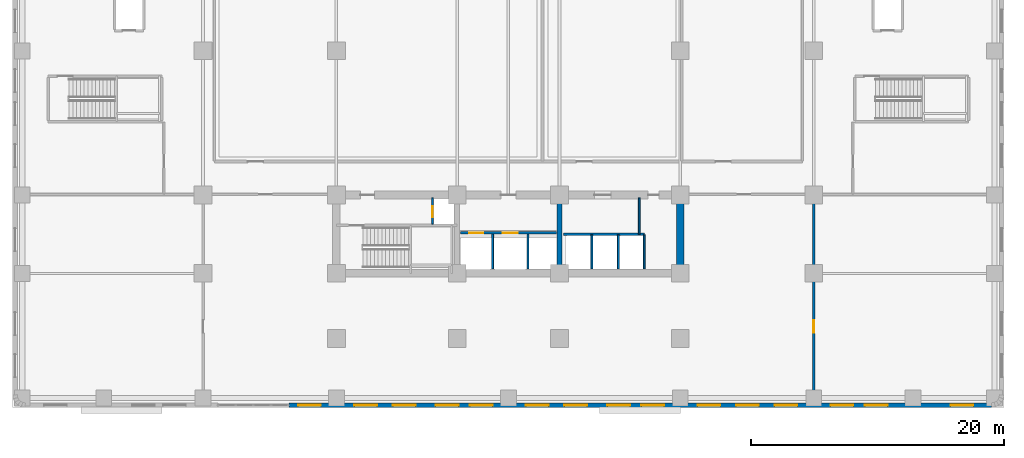
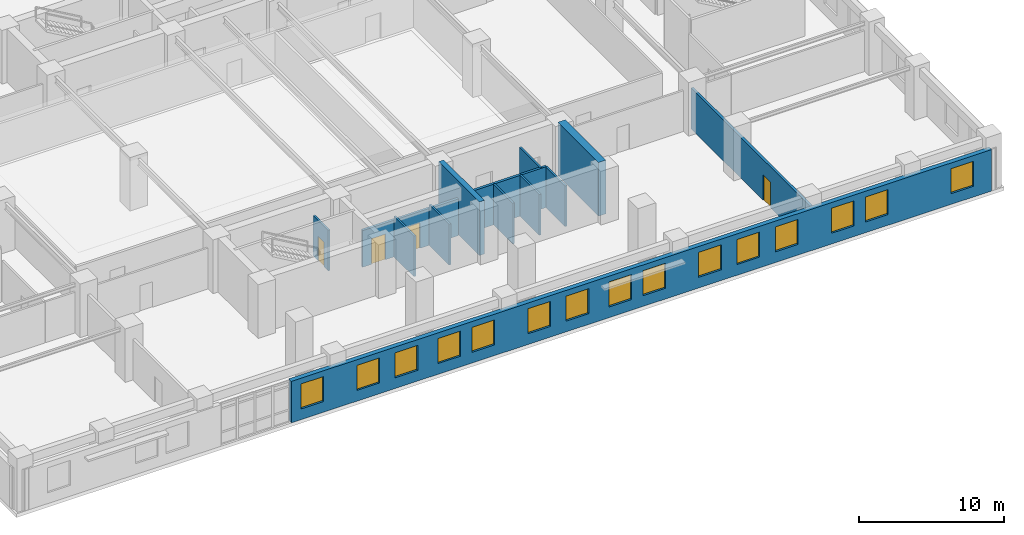
# One storey, part 7 of 16: 15 windows, 13 walls, 4 doors, 19 openings.
"""IFC4 building model written with IfcOpenShell, lengths in metres."""

from ifc_helpers import new_model, si_unit, direction, frame, frame_2d, origin, place, context, subcontext, project, spatial, rectangle, extrude, material, layer, layer_set, type_object, element, fill, save


model = new_model("IFC4")

# Units and contexts
model_context = context("Model", 3, precision=1e-05, world=origin(), true_north=direction((0.0, 1.0)))
body_context = subcontext(model_context, "Body", "Model", "MODEL_VIEW")
ifc_project = project(units=[si_unit("LENGTHUNIT", "METRE"), si_unit("AREAUNIT", "SQUARE_METRE"), si_unit("VOLUMEUNIT", "CUBIC_METRE"), si_unit("PLANEANGLEUNIT", "RADIAN"), si_unit("MASSUNIT", "GRAM", prefix="KILO")], contexts=[model_context])

# Site, building, storey
site_placement = place(None, origin())
site = spatial("IfcSite", under=ifc_project, at=site_placement, CompositionType="ELEMENT")
building_placement = place(site_placement, origin())
building = spatial("IfcBuilding", under=site, at=building_placement, Name="Svetorya Sky Lyceum", CompositionType="ELEMENT")
storey_placement = place(building_placement, frame((0.0, 0.0, 11.10009765625)))
storey = spatial("IfcBuildingStorey", under=building, at=storey_placement, Name="L02", CompositionType="ELEMENT", Elevation=11.10009765625)

# Walls
ifc_material_1 = material(Name="Concrete C40/50", Category="concrete")
ifc_layer_1 = layer(ifc_material_1, 0.39990234375)
ifc_layer_set_1 = layer_set([ifc_layer_1], Name="Concrete C40/50")
wall_type_1 = type_object("IfcWallType", Name="WL-CORE-400", PredefinedType="SHEAR", material=ifc_layer_set_1)
wall_1_placement = place(storey_placement, frame((43.25, 10.89990234375, 0.0), z_axis=(0.0, 0.0, 1.0), x_axis=(0.0, 1.0, 0.0)))
element("IfcWall", 1, at=wall_1_placement, inside=storey, type_object=wall_type_1, Name="L02 SC Internal Shear Web WEB2", PredefinedType="SHEAR", context=body_context, shape_type="SweptSolid", body=[
    extrude(rectangle(XDim=5.60009765625, YDim=0.39990234375, at=frame_2d((2.800048828125, 0.0))), origin(), (0.0, 0.0, 1.0), 4.5),
])
ifc_material_2 = material(Name="Concrete C60/75", Category="concrete")
ifc_layer_2 = layer(ifc_material_2, 0.60009765625)
ifc_layer_set_2 = layer_set([ifc_layer_2], Name="Concrete C60/75")
wall_type_2 = type_object("IfcWallType", Name="WL-CORE-600", PredefinedType="SHEAR", material=ifc_layer_set_2)
wall_2_placement = place(storey_placement, frame((52.800048828125, 10.89990234375, 0.0), z_axis=(0.0, 0.0, 1.0), x_axis=(0.0, 1.0, 0.0)))
element("IfcWall", 2, at=wall_2_placement, inside=storey, type_object=wall_type_2, Name="L02 SC East Core Shear Wall", PredefinedType="SHEAR", context=body_context, shape_type="SweptSolid", body=[
    extrude(rectangle(XDim=5.60009765625, YDim=0.60009765625, at=frame_2d((2.800048828125, 0.0))), origin(), (0.0, 0.0, 1.0), 4.5),
])

# Wall, openings, windows
ifc_material_3 = material(Name="Putilovo limestone rainscreen on autoclaved cellular masonry", Category="masonry")
ifc_layer_3 = layer(ifc_material_3, 0.360107421875)
ifc_layer_set_3 = layer_set([ifc_layer_3], Name="Putilovo limestone rainscreen on autoclaved cellular masonry")
wall_type_3 = type_object("IfcWallType", Name="WL-EXT-360", PredefinedType="SOLIDWALL", material=ifc_layer_set_3)
wall_3_placement = place(storey_placement, frame((21.830078125, 0.179931640625, 0.0), z_axis=(0.0, 0.0, 1.0), x_axis=(1.0, 0.0, 0.0)))
wall_3 = element("IfcWall", 3, at=wall_3_placement, inside=storey, type_object=wall_type_3, Name="L02 Limestone Exterior Wall 6B", PredefinedType="SOLIDWALL", context=body_context, shape_type="SweptSolid", body=[
    extrude(rectangle(XDim=55.58984375, YDim=0.360107421875, at=frame_2d((27.794921875, 0.0))), origin(), (0.0, 0.0, 1.0), 3.47998046875),
])
opening_1_placement = place(wall_3_placement, frame((0.74658203125, 0.0, 0.89990234375)))
opening_1 = element("IfcOpeningElement", 4, at=opening_1_placement, cuts=wall_3, Name="Opening W-S2", PredefinedType="OPENING", context=body_context, shape_type="SweptSolid", body=[
    extrude(rectangle(XDim=1.800048828125, YDim=2.10009765625, at=frame_2d((0.89990234375, 1.050048828125))), frame((0.0, 0.18994140625, 0.0), z_axis=(0.0, -1.0, 0.0), x_axis=(1.0, 0.0, 0.0)), (0.0, 0.0, 1.0), 0.380126953125),
])
opening_2_placement = place(wall_3_placement, frame((5.189697265625, 0.0, 0.89990234375)))
opening_2 = element("IfcOpeningElement", 5, at=opening_2_placement, cuts=wall_3, Name="Opening W-S2", PredefinedType="OPENING", context=body_context, shape_type="SweptSolid", body=[
    extrude(rectangle(XDim=1.800048828125, YDim=2.10009765625, at=frame_2d((0.89990234375, 1.050048828125))), frame((0.0, 0.18994140625, 0.0), z_axis=(0.0, -1.0, 0.0), x_axis=(1.0, 0.0, 0.0)), (0.0, 0.0, 1.0), 0.380126953125),
])
opening_3_placement = place(wall_3_placement, frame((8.23291015625, 0.0, 0.89990234375)))
opening_3 = element("IfcOpeningElement", 6, at=opening_3_placement, cuts=wall_3, Name="Opening W-S2", PredefinedType="OPENING", context=body_context, shape_type="SweptSolid", body=[
    extrude(rectangle(XDim=1.800048828125, YDim=2.10009765625, at=frame_2d((0.89990234375, 1.050048828125))), frame((0.0, 0.18994140625, 0.0), z_axis=(0.0, -1.0, 0.0), x_axis=(1.0, 0.0, 0.0)), (0.0, 0.0, 1.0), 0.380126953125),
])
opening_4_placement = place(wall_3_placement, frame((11.6259765625, 0.0, 0.89990234375)))
opening_4 = element("IfcOpeningElement", 7, at=opening_4_placement, cuts=wall_3, Name="Opening W-S2", PredefinedType="OPENING", context=body_context, shape_type="SweptSolid", body=[
    extrude(rectangle(XDim=1.800048828125, YDim=2.10009765625, at=frame_2d((0.89990234375, 1.050048828125))), frame((0.0, 0.18994140625, 0.0), z_axis=(0.0, -1.0, 0.0), x_axis=(1.0, 0.0, 0.0)), (0.0, 0.0, 1.0), 0.380126953125),
])
opening_5_placement = place(wall_3_placement, frame((14.319091796875, 0.0, 0.89990234375)))
opening_5 = element("IfcOpeningElement", 8, at=opening_5_placement, cuts=wall_3, Name="Opening W-S2", PredefinedType="OPENING", context=body_context, shape_type="SweptSolid", body=[
    extrude(rectangle(XDim=1.800048828125, YDim=2.10009765625, at=frame_2d((0.89990234375, 1.050048828125))), frame((0.0, 0.18994140625, 0.0), z_axis=(0.0, -1.0, 0.0), x_axis=(1.0, 0.0, 0.0)), (0.0, 0.0, 1.0), 0.380126953125),
])
opening_6_placement = place(wall_3_placement, frame((18.76220703125, 0.0, 0.89990234375)))
opening_6 = element("IfcOpeningElement", 9, at=opening_6_placement, cuts=wall_3, Name="Opening W-S2", PredefinedType="OPENING", context=body_context, shape_type="SweptSolid", body=[
    extrude(rectangle(XDim=1.800048828125, YDim=2.10009765625, at=frame_2d((0.89990234375, 1.050048828125))), frame((0.0, 0.18994140625, 0.0), z_axis=(0.0, -1.0, 0.0), x_axis=(1.0, 0.0, 0.0)), (0.0, 0.0, 1.0), 0.380126953125),
])
opening_7_placement = place(wall_3_placement, frame((21.805419921875, 0.0, 0.89990234375)))
opening_7 = element("IfcOpeningElement", 10, at=opening_7_placement, cuts=wall_3, Name="Opening W-S2", PredefinedType="OPENING", context=body_context, shape_type="SweptSolid", body=[
    extrude(rectangle(XDim=1.800048828125, YDim=2.10009765625, at=frame_2d((0.89990234375, 1.050048828125))), frame((0.0, 0.18994140625, 0.0), z_axis=(0.0, -1.0, 0.0), x_axis=(1.0, 0.0, 0.0)), (0.0, 0.0, 1.0), 0.380126953125),
])
opening_8_placement = place(wall_3_placement, frame((25.198486328125, 0.0, 0.89990234375)))
opening_8 = element("IfcOpeningElement", 11, at=opening_8_placement, cuts=wall_3, Name="Opening W-S2", PredefinedType="OPENING", context=body_context, shape_type="SweptSolid", body=[
    extrude(rectangle(XDim=1.800048828125, YDim=2.10009765625, at=frame_2d((0.89990234375, 1.050048828125))), frame((0.0, 0.18994140625, 0.0), z_axis=(0.0, -1.0, 0.0), x_axis=(1.0, 0.0, 0.0)), (0.0, 0.0, 1.0), 0.380126953125),
])
opening_9_placement = place(wall_3_placement, frame((27.8916015625, 0.0, 0.89990234375)))
opening_9 = element("IfcOpeningElement", 12, at=opening_9_placement, cuts=wall_3, Name="Opening W-S2", PredefinedType="OPENING", context=body_context, shape_type="SweptSolid", body=[
    extrude(rectangle(XDim=1.800048828125, YDim=2.10009765625, at=frame_2d((0.89990234375, 1.050048828125))), frame((0.0, 0.18994140625, 0.0), z_axis=(0.0, -1.0, 0.0), x_axis=(1.0, 0.0, 0.0)), (0.0, 0.0, 1.0), 0.380126953125),
])
opening_10_placement = place(wall_3_placement, frame((32.334716796875, 0.0, 0.89990234375)))
opening_10 = element("IfcOpeningElement", 13, at=opening_10_placement, cuts=wall_3, Name="Opening W-S2", PredefinedType="OPENING", context=body_context, shape_type="SweptSolid", body=[
    extrude(rectangle(XDim=1.800048828125, YDim=2.10009765625, at=frame_2d((0.89990234375, 1.050048828125))), frame((0.0, 0.18994140625, 0.0), z_axis=(0.0, -1.0, 0.0), x_axis=(1.0, 0.0, 0.0)), (0.0, 0.0, 1.0), 0.380126953125),
])
opening_11_placement = place(wall_3_placement, frame((35.377685546875, 0.0, 0.89990234375)))
opening_11 = element("IfcOpeningElement", 14, at=opening_11_placement, cuts=wall_3, Name="Opening W-S2", PredefinedType="OPENING", context=body_context, shape_type="SweptSolid", body=[
    extrude(rectangle(XDim=1.800048828125, YDim=2.10009765625, at=frame_2d((0.89990234375, 1.050048828125))), frame((0.0, 0.18994140625, 0.0), z_axis=(0.0, -1.0, 0.0), x_axis=(1.0, 0.0, 0.0)), (0.0, 0.0, 1.0), 0.380126953125),
])
opening_12_placement = place(wall_3_placement, frame((38.4208984375, 0.0, 0.89990234375)))
opening_12 = element("IfcOpeningElement", 15, at=opening_12_placement, cuts=wall_3, Name="Opening W-S2", PredefinedType="OPENING", context=body_context, shape_type="SweptSolid", body=[
    extrude(rectangle(XDim=1.800048828125, YDim=2.10009765625, at=frame_2d((0.89990234375, 1.050048828125))), frame((0.0, 0.18994140625, 0.0), z_axis=(0.0, -1.0, 0.0), x_axis=(1.0, 0.0, 0.0)), (0.0, 0.0, 1.0), 0.380126953125),
])
opening_13_placement = place(wall_3_placement, frame((42.864013671875, 0.0, 0.89990234375)))
opening_13 = element("IfcOpeningElement", 16, at=opening_13_placement, cuts=wall_3, Name="Opening W-S2", PredefinedType="OPENING", context=body_context, shape_type="SweptSolid", body=[
    extrude(rectangle(XDim=1.800048828125, YDim=2.10009765625, at=frame_2d((0.89990234375, 1.050048828125))), frame((0.0, 0.18994140625, 0.0), z_axis=(0.0, -1.0, 0.0), x_axis=(1.0, 0.0, 0.0)), (0.0, 0.0, 1.0), 0.380126953125),
])
opening_14_placement = place(wall_3_placement, frame((45.55712890625, 0.0, 0.89990234375)))
opening_14 = element("IfcOpeningElement", 17, at=opening_14_placement, cuts=wall_3, Name="Opening W-S2", PredefinedType="OPENING", context=body_context, shape_type="SweptSolid", body=[
    extrude(rectangle(XDim=1.800048828125, YDim=2.10009765625, at=frame_2d((0.89990234375, 1.050048828125))), frame((0.0, 0.18994140625, 0.0), z_axis=(0.0, -1.0, 0.0), x_axis=(1.0, 0.0, 0.0)), (0.0, 0.0, 1.0), 0.380126953125),
])
opening_15_placement = place(wall_3_placement, frame((52.343505859375, 0.0, 0.89990234375)))
opening_15 = element("IfcOpeningElement", 18, at=opening_15_placement, cuts=wall_3, Name="Opening W-S2", PredefinedType="OPENING", context=body_context, shape_type="SweptSolid", body=[
    extrude(rectangle(XDim=1.800048828125, YDim=2.10009765625, at=frame_2d((0.89990234375, 1.050048828125))), frame((0.0, 0.18994140625, 0.0), z_axis=(0.0, -1.0, 0.0), x_axis=(1.0, 0.0, 0.0)), (0.0, 0.0, 1.0), 0.380126953125),
])
ifc_material_4 = material(Name="Thermally broken aluminium frame with triple low-E glazing", Category="aluminium")
window_type = type_object("IfcWindowType", Name="WN-SCH-180", PartitioningType="DOUBLE_PANEL_VERTICAL", PredefinedType="WINDOW", material=ifc_material_4)
window_1_placement = place(opening_1_placement, origin())
window_1 = element("IfcWindow", 19, at=window_1_placement, inside=storey, type_object=window_type, Name="L02 Facade Window W-S2.6B.1", OverallHeight=2.10009765625, OverallWidth=1.800048828125, PartitioningType="SINGLE_PANEL", PredefinedType="WINDOW", context=body_context, shape_type="SweptSolid", body=[
    extrude(rectangle(XDim=1.800048828125, YDim=2.10009765625, at=frame_2d((0.89990234375, 1.050048828125))), frame((0.0, 0.030029296875, 0.0), z_axis=(0.0, -1.0, 0.0), x_axis=(1.0, 0.0, 0.0)), (0.0, 0.0, 1.0), 0.06005859375),
])
fill(opening_1, window_1)
window_2_placement = place(opening_2_placement, origin())
window_2 = element("IfcWindow", 20, at=window_2_placement, inside=storey, type_object=window_type, Name="L02 Facade Window W-S2.6B.2", OverallHeight=2.10009765625, OverallWidth=1.800048828125, PartitioningType="SINGLE_PANEL", PredefinedType="WINDOW", context=body_context, shape_type="SweptSolid", body=[
    extrude(rectangle(XDim=1.800048828125, YDim=2.10009765625, at=frame_2d((0.89990234375, 1.050048828125))), frame((0.0, 0.030029296875, 0.0), z_axis=(0.0, -1.0, 0.0), x_axis=(1.0, 0.0, 0.0)), (0.0, 0.0, 1.0), 0.06005859375),
])
fill(opening_2, window_2)
window_3_placement = place(opening_3_placement, origin())
window_3 = element("IfcWindow", 21, at=window_3_placement, inside=storey, type_object=window_type, Name="L02 Facade Window W-S2.6B.3", OverallHeight=2.10009765625, OverallWidth=1.800048828125, PartitioningType="SINGLE_PANEL", PredefinedType="WINDOW", context=body_context, shape_type="SweptSolid", body=[
    extrude(rectangle(XDim=1.800048828125, YDim=2.10009765625, at=frame_2d((0.89990234375, 1.050048828125))), frame((0.0, 0.030029296875, 0.0), z_axis=(0.0, -1.0, 0.0), x_axis=(1.0, 0.0, 0.0)), (0.0, 0.0, 1.0), 0.06005859375),
])
fill(opening_3, window_3)
window_4_placement = place(opening_4_placement, origin())
window_4 = element("IfcWindow", 22, at=window_4_placement, inside=storey, type_object=window_type, Name="L02 Facade Window W-S2.6B.4", OverallHeight=2.10009765625, OverallWidth=1.800048828125, PartitioningType="SINGLE_PANEL", PredefinedType="WINDOW", context=body_context, shape_type="SweptSolid", body=[
    extrude(rectangle(XDim=1.800048828125, YDim=2.10009765625, at=frame_2d((0.89990234375, 1.050048828125))), frame((0.0, 0.030029296875, 0.0), z_axis=(0.0, -1.0, 0.0), x_axis=(1.0, 0.0, 0.0)), (0.0, 0.0, 1.0), 0.06005859375),
])
fill(opening_4, window_4)
window_5_placement = place(opening_5_placement, origin())
window_5 = element("IfcWindow", 23, at=window_5_placement, inside=storey, type_object=window_type, Name="L02 Facade Window W-S2.6B.5", OverallHeight=2.10009765625, OverallWidth=1.800048828125, PartitioningType="SINGLE_PANEL", PredefinedType="WINDOW", context=body_context, shape_type="SweptSolid", body=[
    extrude(rectangle(XDim=1.800048828125, YDim=2.10009765625, at=frame_2d((0.89990234375, 1.050048828125))), frame((0.0, 0.030029296875, 0.0), z_axis=(0.0, -1.0, 0.0), x_axis=(1.0, 0.0, 0.0)), (0.0, 0.0, 1.0), 0.06005859375),
])
fill(opening_5, window_5)
window_6_placement = place(opening_6_placement, origin())
window_6 = element("IfcWindow", 24, at=window_6_placement, inside=storey, type_object=window_type, Name="L02 Facade Window W-S2.6B.6", OverallHeight=2.10009765625, OverallWidth=1.800048828125, PartitioningType="SINGLE_PANEL", PredefinedType="WINDOW", context=body_context, shape_type="SweptSolid", body=[
    extrude(rectangle(XDim=1.800048828125, YDim=2.10009765625, at=frame_2d((0.89990234375, 1.050048828125))), frame((0.0, 0.030029296875, 0.0), z_axis=(0.0, -1.0, 0.0), x_axis=(1.0, 0.0, 0.0)), (0.0, 0.0, 1.0), 0.06005859375),
])
fill(opening_6, window_6)
window_7_placement = place(opening_7_placement, origin())
window_7 = element("IfcWindow", 25, at=window_7_placement, inside=storey, type_object=window_type, Name="L02 Facade Window W-S2.6B.7", OverallHeight=2.10009765625, OverallWidth=1.800048828125, PartitioningType="SINGLE_PANEL", PredefinedType="WINDOW", context=body_context, shape_type="SweptSolid", body=[
    extrude(rectangle(XDim=1.800048828125, YDim=2.10009765625, at=frame_2d((0.89990234375, 1.050048828125))), frame((0.0, 0.030029296875, 0.0), z_axis=(0.0, -1.0, 0.0), x_axis=(1.0, 0.0, 0.0)), (0.0, 0.0, 1.0), 0.06005859375),
])
fill(opening_7, window_7)
window_8_placement = place(opening_8_placement, origin())
window_8 = element("IfcWindow", 26, at=window_8_placement, inside=storey, type_object=window_type, Name="L02 Facade Window W-S2.6B.8", OverallHeight=2.10009765625, OverallWidth=1.800048828125, PartitioningType="SINGLE_PANEL", PredefinedType="WINDOW", context=body_context, shape_type="SweptSolid", body=[
    extrude(rectangle(XDim=1.800048828125, YDim=2.10009765625, at=frame_2d((0.89990234375, 1.050048828125))), frame((0.0, 0.030029296875, 0.0), z_axis=(0.0, -1.0, 0.0), x_axis=(1.0, 0.0, 0.0)), (0.0, 0.0, 1.0), 0.06005859375),
])
fill(opening_8, window_8)
window_9_placement = place(opening_9_placement, origin())
window_9 = element("IfcWindow", 27, at=window_9_placement, inside=storey, type_object=window_type, Name="L02 Facade Window W-S2.6B.9", OverallHeight=2.10009765625, OverallWidth=1.800048828125, PartitioningType="SINGLE_PANEL", PredefinedType="WINDOW", context=body_context, shape_type="SweptSolid", body=[
    extrude(rectangle(XDim=1.800048828125, YDim=2.10009765625, at=frame_2d((0.89990234375, 1.050048828125))), frame((0.0, 0.030029296875, 0.0), z_axis=(0.0, -1.0, 0.0), x_axis=(1.0, 0.0, 0.0)), (0.0, 0.0, 1.0), 0.06005859375),
])
fill(opening_9, window_9)
window_10_placement = place(opening_10_placement, origin())
window_10 = element("IfcWindow", 28, at=window_10_placement, inside=storey, type_object=window_type, Name="L02 Facade Window W-S2.6B.10", OverallHeight=2.10009765625, OverallWidth=1.800048828125, PartitioningType="SINGLE_PANEL", PredefinedType="WINDOW", context=body_context, shape_type="SweptSolid", body=[
    extrude(rectangle(XDim=1.800048828125, YDim=2.10009765625, at=frame_2d((0.89990234375, 1.050048828125))), frame((0.0, 0.030029296875, 0.0), z_axis=(0.0, -1.0, 0.0), x_axis=(1.0, 0.0, 0.0)), (0.0, 0.0, 1.0), 0.06005859375),
])
fill(opening_10, window_10)
window_11_placement = place(opening_11_placement, origin())
window_11 = element("IfcWindow", 29, at=window_11_placement, inside=storey, type_object=window_type, Name="L02 Facade Window W-S2.6B.11", OverallHeight=2.10009765625, OverallWidth=1.800048828125, PartitioningType="SINGLE_PANEL", PredefinedType="WINDOW", context=body_context, shape_type="SweptSolid", body=[
    extrude(rectangle(XDim=1.800048828125, YDim=2.10009765625, at=frame_2d((0.89990234375, 1.050048828125))), frame((0.0, 0.030029296875, 0.0), z_axis=(0.0, -1.0, 0.0), x_axis=(1.0, 0.0, 0.0)), (0.0, 0.0, 1.0), 0.06005859375),
])
fill(opening_11, window_11)
window_12_placement = place(opening_12_placement, origin())
window_12 = element("IfcWindow", 30, at=window_12_placement, inside=storey, type_object=window_type, Name="L02 Facade Window W-S2.6B.12", OverallHeight=2.10009765625, OverallWidth=1.800048828125, PartitioningType="SINGLE_PANEL", PredefinedType="WINDOW", context=body_context, shape_type="SweptSolid", body=[
    extrude(rectangle(XDim=1.800048828125, YDim=2.10009765625, at=frame_2d((0.89990234375, 1.050048828125))), frame((0.0, 0.030029296875, 0.0), z_axis=(0.0, -1.0, 0.0), x_axis=(1.0, 0.0, 0.0)), (0.0, 0.0, 1.0), 0.06005859375),
])
fill(opening_12, window_12)
window_13_placement = place(opening_13_placement, origin())
window_13 = element("IfcWindow", 31, at=window_13_placement, inside=storey, type_object=window_type, Name="L02 Facade Window W-S2.6B.13", OverallHeight=2.10009765625, OverallWidth=1.800048828125, PartitioningType="SINGLE_PANEL", PredefinedType="WINDOW", context=body_context, shape_type="SweptSolid", body=[
    extrude(rectangle(XDim=1.800048828125, YDim=2.10009765625, at=frame_2d((0.89990234375, 1.050048828125))), frame((0.0, 0.030029296875, 0.0), z_axis=(0.0, -1.0, 0.0), x_axis=(1.0, 0.0, 0.0)), (0.0, 0.0, 1.0), 0.06005859375),
])
fill(opening_13, window_13)
window_14_placement = place(opening_14_placement, origin())
window_14 = element("IfcWindow", 32, at=window_14_placement, inside=storey, type_object=window_type, Name="L02 Facade Window W-S2.6B.14", OverallHeight=2.10009765625, OverallWidth=1.800048828125, PartitioningType="SINGLE_PANEL", PredefinedType="WINDOW", context=body_context, shape_type="SweptSolid", body=[
    extrude(rectangle(XDim=1.800048828125, YDim=2.10009765625, at=frame_2d((0.89990234375, 1.050048828125))), frame((0.0, 0.030029296875, 0.0), z_axis=(0.0, -1.0, 0.0), x_axis=(1.0, 0.0, 0.0)), (0.0, 0.0, 1.0), 0.06005859375),
])
fill(opening_14, window_14)
window_15_placement = place(opening_15_placement, origin())
window_15 = element("IfcWindow", 33, at=window_15_placement, inside=storey, type_object=window_type, Name="L02 Facade Window W-S2.6B.15", OverallHeight=2.10009765625, OverallWidth=1.800048828125, PartitioningType="SINGLE_PANEL", PredefinedType="WINDOW", context=body_context, shape_type="SweptSolid", body=[
    extrude(rectangle(XDim=1.800048828125, YDim=2.10009765625, at=frame_2d((0.89990234375, 1.050048828125))), frame((0.0, 0.030029296875, 0.0), z_axis=(0.0, -1.0, 0.0), x_axis=(1.0, 0.0, 0.0)), (0.0, 0.0, 1.0), 0.06005859375),
])
fill(opening_15, window_15)

# Wall, opening, door
ifc_material_5 = material(Name="Autoclaved cellular masonry blockwork with acoustic render", Category="masonry")
ifc_layer_4 = layer(ifc_material_5, 0.14990234375)
ifc_layer_set_4 = layer_set([ifc_layer_4], Name="Autoclaved cellular masonry blockwork with acoustic render")
wall_type_4 = type_object("IfcWallType", Name="WL-PART-150", PredefinedType="PARTITIONING", material=ifc_layer_set_4)
wall_4_placement = place(storey_placement, frame((33.199951171875, 14.5, 0.0), z_axis=(0.0, 0.0, 1.0), x_axis=(0.0, 1.0, 0.0)))
wall_4 = element("IfcWall", 34, at=wall_4_placement, inside=storey, type_object=wall_type_4, Name="L02 Interior Partition SC-AIRDIV", PredefinedType="PARTITIONING", context=body_context, shape_type="SweptSolid", body=[
    extrude(rectangle(XDim=2.080078125, YDim=0.14990234375, at=frame_2d((1.0400390625, 0.0))), origin(), (0.0, 0.0, 1.0), 3.419921875),
])
opening_16_placement = place(wall_4_placement, frame((0.550048828125, 0.0, 0.0)))
opening_16 = element("IfcOpeningElement", 35, at=opening_16_placement, cuts=wall_4, Name="Opening D-SH1", PredefinedType="OPENING", context=body_context, shape_type="SweptSolid", body=[
    extrude(rectangle(XDim=0.85009765625, YDim=2.050048828125, at=frame_2d((0.425048828125, 1.02490234375))), frame((0.0, 0.0849609375, 0.0), z_axis=(0.0, -1.0, 0.0), x_axis=(1.0, 0.0, 0.0)), (0.0, 0.0, 1.0), 0.169921875),
])
ifc_material_6 = material(Name="Insulated galvanized riser inspection fire door")
door_type_1 = type_object("IfcDoorType", Name="DR-SHFT-850", OperationType="SINGLE_SWING_LEFT", PredefinedType="TRAPDOOR", material=ifc_material_6)
door_1_placement = place(opening_16_placement, origin())
door_1 = element("IfcDoor", 36, at=door_1_placement, inside=storey, type_object=door_type_1, Name="L02 South Riser Access Door", OperationType="SINGLE_SWING_RIGHT", OverallHeight=2.050048828125, OverallWidth=0.85009765625, PredefinedType="TRAPDOOR", context=body_context, shape_type="SweptSolid", body=[
    extrude(rectangle(XDim=0.85009765625, YDim=2.050048828125, at=frame_2d((0.425048828125, 1.02490234375))), frame((0.0, 0.02490234375, 0.0), z_axis=(0.0, -1.0, 0.0), x_axis=(1.0, 0.0, 0.0)), (0.0, 0.0, 1.0), 0.050048828125),
])
fill(opening_16, door_1)

# Walls
for number, where, z_axis, x_axis, name in (
    (37, (37.949951171875, 10.949951171875, 0.0), (0.0, 0.0, 1.0), (0.0, 1.0, 0.0), "L02 Interior Partition SC-SHD1"),
    (38, (40.75, 10.949951171875, 0.0), (0.0, 0.0, 1.0), (0.0, 1.0, 0.0), "L02 Interior Partition SC-SHD2"),
):
    element("IfcWall", number, at=place(storey_placement, frame(where, z_axis=z_axis, x_axis=x_axis)), inside=storey, type_object=wall_type_4, Name=name, PredefinedType="PARTITIONING", context=body_context, shape_type="SweptSolid", body=[
        extrude(rectangle(XDim=2.75, YDim=0.14990234375, at=frame_2d((1.375, 0.0))), origin(), (0.0, 0.0, 1.0), 3.419921875),
    ])
for number, where, z_axis, x_axis, name in (
    (39, (45.800048828125, 10.949951171875, 0.0), (0.0, 0.0, 1.0), (0.0, 1.0, 0.0), "L02 Interior Partition SC-PL-DIV1"),
    (40, (47.89990234375, 10.949951171875, 0.0), (0.0, 0.0, 1.0), (0.0, 1.0, 0.0), "L02 Interior Partition SC-PL-DIV2"),
    (41, (49.949951171875, 10.949951171875, 0.0), (0.0, 0.0, 1.0), (0.0, 1.0, 0.0), "L02 Interior Partition SC-PL-END"),
):
    element("IfcWall", number, at=place(storey_placement, frame(where, z_axis=z_axis, x_axis=x_axis)), inside=storey, type_object=wall_type_4, Name=name, PredefinedType="PARTITIONING", context=body_context, shape_type="SweptSolid", body=[
        extrude(rectangle(XDim=2.699951171875, YDim=0.14990234375, at=frame_2d((1.35009765625, 0.0))), origin(), (0.0, 0.0, 1.0), 3.419921875),
    ])
wall_5_placement = place(storey_placement, frame((49.550048828125, 13.699951171875, 0.0), z_axis=(0.0, 0.0, 1.0), x_axis=(0.0, 1.0, 0.0)))
element("IfcWall", 42, at=wall_5_placement, inside=storey, type_object=wall_type_4, Name="L02 Interior Partition SC-AUX-V", PredefinedType="PARTITIONING", context=body_context, shape_type="SweptSolid", body=[
    extrude(rectangle(XDim=2.880126953125, YDim=0.14990234375, at=frame_2d((1.43994140625, 0.0))), origin(), (0.0, 0.0, 1.0), 3.419921875),
])

# Wall, openings, doors
ifc_material_7 = material(Name="Autoclaved cellular masonry blockwork with gypsum plaster", Category="masonry")
ifc_layer_5 = layer(ifc_material_7, 0.199951171875)
ifc_layer_set_5 = layer_set([ifc_layer_5], Name="Autoclaved cellular masonry blockwork with gypsum plaster")
wall_type_5 = type_object("IfcWallType", Name="WL-PART-200", PredefinedType="PARTITIONING", material=ifc_layer_set_5)
wall_6_placement = place(storey_placement, frame((35.39990234375, 13.800048828125, 0.0), z_axis=(0.0, 0.0, 1.0), x_axis=(1.0, 0.0, 0.0)))
wall_6 = element("IfcWall", 43, at=wall_6_placement, inside=storey, type_object=wall_type_5, Name="L02 Interior Partition SC-FLW", PredefinedType="PARTITIONING", context=body_context, shape_type="SweptSolid", body=[
    extrude(rectangle(XDim=7.60009765625, YDim=0.199951171875, at=frame_2d((3.800048828125, 0.0))), origin(), (0.0, 0.0, 1.0), 3.079833984375),
])
opening_17_placement = place(wall_6_placement, frame((0.699951171875, 0.0, 0.0)))
opening_17 = element("IfcOpeningElement", 44, at=opening_17_placement, cuts=wall_6, Name="Opening LD-FL", PredefinedType="OPENING", context=body_context, shape_type="SweptSolid", body=[
    extrude(rectangle(XDim=1.10009765625, YDim=2.14990234375, at=frame_2d((0.550048828125, 1.074951171875))), frame((0.0, 0.10986328125, 0.0), z_axis=(0.0, -1.0, 0.0), x_axis=(1.0, 0.0, 0.0)), (0.0, 0.0, 1.0), 0.219970703125),
])
opening_18_placement = place(wall_6_placement, frame((3.35009765625, 0.0, 0.0)))
opening_18 = element("IfcOpeningElement", 45, at=opening_18_placement, cuts=wall_6, Name="Opening LD-SV", PredefinedType="OPENING", context=body_context, shape_type="SweptSolid", body=[
    extrude(rectangle(XDim=1.199951171875, YDim=2.14990234375, at=frame_2d((0.60009765625, 1.074951171875))), frame((0.0, 0.10986328125, 0.0), z_axis=(0.0, -1.0, 0.0), x_axis=(1.0, 0.0, 0.0)), (0.0, 0.0, 1.0), 0.219970703125),
])
ifc_material_8 = material(Name="Fire-rated stainless AISI 304 firefighting lift landing door")
door_type_2 = type_object("IfcDoorType", Name="DR-LIFT-1100", OperationType="SLIDING_TO_LEFT", PredefinedType="DOOR", material=ifc_material_8)
door_2_placement = place(opening_17_placement, origin())
door_2 = element("IfcDoor", 46, at=door_2_placement, inside=storey, type_object=door_type_2, Name="L02 Firefighting Lift FL2 Landing Door", OperationType="SLIDING_TO_LEFT", OverallHeight=2.14990234375, OverallWidth=1.10009765625, PredefinedType="DOOR", context=body_context, shape_type="SweptSolid", body=[
    extrude(rectangle(XDim=1.10009765625, YDim=2.14990234375, at=frame_2d((0.550048828125, 1.074951171875))), frame((0.0, 0.02490234375, 0.0), z_axis=(0.0, -1.0, 0.0), x_axis=(1.0, 0.0, 0.0)), (0.0, 0.0, 1.0), 0.050048828125),
])
fill(opening_17, door_2)
ifc_material_9 = material(Name="Brushed stainless AISI 304 telescopic lift landing door")
door_type_3 = type_object("IfcDoorType", Name="DR-LIFT-1200", OperationType="SLIDING_TO_LEFT", PredefinedType="DOOR", material=ifc_material_9)
door_3_placement = place(opening_18_placement, origin())
door_3 = element("IfcDoor", 47, at=door_3_placement, inside=storey, type_object=door_type_3, Name="L02 Service Lift SVL1 Landing Door", OperationType="SLIDING_TO_LEFT", OverallHeight=2.14990234375, OverallWidth=1.199951171875, PredefinedType="DOOR", context=body_context, shape_type="SweptSolid", body=[
    extrude(rectangle(XDim=1.199951171875, YDim=2.14990234375, at=frame_2d((0.60009765625, 1.074951171875))), frame((0.0, 0.02490234375, 0.0), z_axis=(0.0, -1.0, 0.0), x_axis=(1.0, 0.0, 0.0)), (0.0, 0.0, 1.0), 0.050048828125),
])
fill(opening_18, door_3)

# Wall
wall_7_placement = place(storey_placement, frame((43.550048828125, 13.699951171875, 0.0), z_axis=(0.0, 0.0, 1.0), x_axis=(1.0, 0.0, 0.0)))
element("IfcWall", 48, at=wall_7_placement, inside=storey, type_object=wall_type_5, Name="L02 Interior Partition SC-PLW", PredefinedType="PARTITIONING", context=body_context, shape_type="SweptSolid", body=[
    extrude(rectangle(XDim=6.39990234375, YDim=0.199951171875, at=frame_2d((3.199951171875, 0.0))), origin(), (0.0, 0.0, 1.0), 3.419921875),
])

# Wall, opening, door
wall_8_placement = place(storey_placement, frame((63.35009765625, 0.39990234375, 0.0), z_axis=(0.0, 0.0, 1.0), x_axis=(0.0, 1.0, 0.0)))
wall_8 = element("IfcWall", 49, at=wall_8_placement, inside=storey, type_object=wall_type_5, Name="L02 Interior Partition SE-DIV", PredefinedType="PARTITIONING", context=body_context, shape_type="SweptSolid", body=[
    extrude(rectangle(XDim=16.400146484375, YDim=0.199951171875, at=frame_2d((8.2001953125, 0.0))), origin(), (0.0, 0.0, 1.0), 3.419921875),
])
opening_19_placement = place(wall_8_placement, frame((5.5, 0.0, 0.0)))
opening_19 = element("IfcOpeningElement", 50, at=opening_19_placement, cuts=wall_8, Name="Opening D-RM2", PredefinedType="OPENING", context=body_context, shape_type="SweptSolid", body=[
    extrude(rectangle(XDim=1.0, YDim=2.14990234375, at=frame_2d((0.5, 1.074951171875))), frame((0.0, 0.10986328125, 0.0), z_axis=(0.0, -1.0, 0.0), x_axis=(1.0, 0.0, 0.0)), (0.0, 0.0, 1.0), 0.219970703125),
])
ifc_material_10 = material(Name="Solid-core oak acoustic room door")
door_type_4 = type_object("IfcDoorType", Name="DR-INT-1000", OperationType="SINGLE_SWING_LEFT", PredefinedType="DOOR", material=ifc_material_10)
door_4_placement = place(opening_19_placement, origin())
door_4 = element("IfcDoor", 51, at=door_4_placement, inside=storey, type_object=door_type_4, Name="L02 Classroom SE2 Door", OperationType="SINGLE_SWING_LEFT", OverallHeight=2.14990234375, OverallWidth=1.0, PredefinedType="DOOR", context=body_context, shape_type="SweptSolid", body=[
    extrude(rectangle(XDim=1.0, YDim=2.14990234375, at=frame_2d((0.5, 1.074951171875))), frame((0.0, 0.02490234375, 0.0), z_axis=(0.0, -1.0, 0.0), x_axis=(1.0, 0.0, 0.0)), (0.0, 0.0, 1.0), 0.050048828125),
])
fill(opening_19, door_4)

save(model, "model.ifc")
